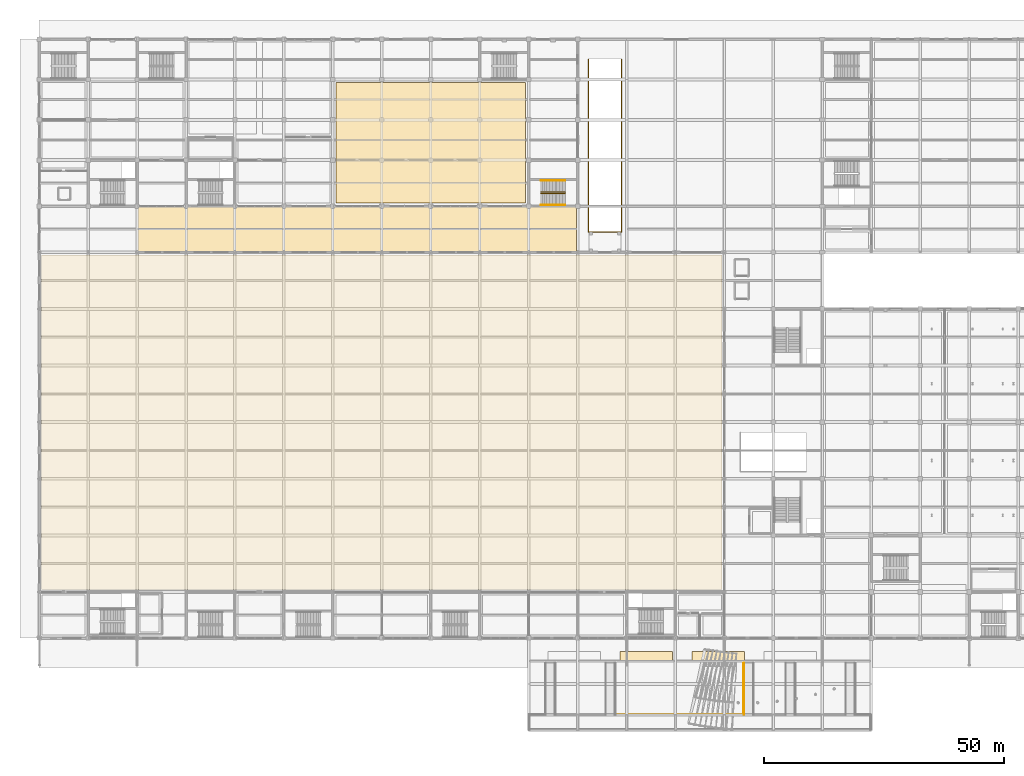
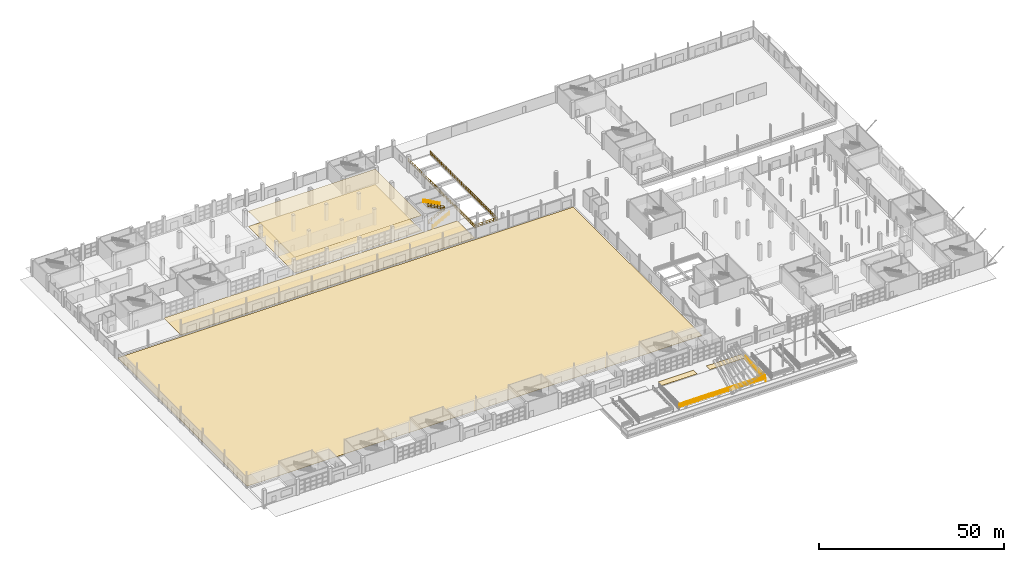
# One storey, part 115 of 124: 6 coverings, 6 railings.
"""IFC4 building model written with IfcOpenShell, lengths in metres."""

from ifc_helpers import new_model, si_unit, direction, frame, origin, origin_2d, place, context, subcontext, project, spatial, polyline, circle, outline, extrude, material, layer, layer_set, type_object, element, save


model = new_model("IFC4")

# Units and contexts
model_context = context("Model", 3, precision=1e-05, world=origin(), true_north=direction((0.0, 1.0)))
body_context = subcontext(model_context, "Body", "Model", "MODEL_VIEW")
ifc_project = project(units=[si_unit("LENGTHUNIT", "METRE"), si_unit("AREAUNIT", "SQUARE_METRE"), si_unit("VOLUMEUNIT", "CUBIC_METRE"), si_unit("PLANEANGLEUNIT", "RADIAN"), si_unit("MASSUNIT", "GRAM", prefix="KILO")], contexts=[model_context])

# Site, building, storey
site_placement = place(None, origin())
site = spatial("IfcSite", under=ifc_project, at=site_placement, CompositionType="ELEMENT")
building_placement = place(site_placement, origin())
building = spatial("IfcBuilding", under=site, at=building_placement, Name="Brelvane Convention Centre", CompositionType="ELEMENT")
storey_placement = place(building_placement, origin())
storey = spatial("IfcBuildingStorey", under=building, at=storey_placement, Name="L00", CompositionType="ELEMENT", Elevation=0.0)

# Coverings
ifc_material_1 = material(Name="Moisture-Resistant Acoustic Gypsum Ceiling Tile Grade A")
ifc_layer_1 = layer(ifc_material_1, 0.01806640625)
ifc_layer_set_1 = layer_set([ifc_layer_1], Name="Moisture-Resistant Acoustic Gypsum Ceiling Tile Grade A")
covering_type_1 = type_object("IfcCoveringType", Name="Interior Finish CL-GYP-18", PredefinedType="CEILING", material=ifc_layer_set_1)
covering_1_placement = place(storey_placement, frame((0.0, 0.0, 5.06201171875)))
element("IfcCovering", 1, at=covering_1_placement, inside=storey, type_object=covering_type_1, Name="Banquet Production Kitchen Acoustic Ceiling (CL-GYP-18)", PredefinedType="CEILING", context=body_context, shape_type="SweptSolid", body=[
    extrude(outline(polyline([(61.830078125, 109.830078125), (101.3701171875, 109.830078125), (101.3701171875, 134.969970703125), (61.830078125, 134.969970703125), (61.830078125, 109.830078125)])), origin(), (0.0, 0.0, 1.0), 0.01806640625),
])
ifc_material_2 = material(Name="Solution-Dyed Heavy Contract Wool Carpet Class 1")
ifc_layer_2 = layer(ifc_material_2, 0.02197265625)
ifc_layer_set_2 = layer_set([ifc_layer_2], Name="Solution-Dyed Heavy Contract Wool Carpet Class 1")
covering_type_2 = type_object("IfcCoveringType", Name="Interior Finish FL-CPT-22", PredefinedType="FLOORING", material=ifc_layer_set_2)
covering_2_placement = place(storey_placement, origin())
element("IfcCovering", 2, at=covering_2_placement, inside=storey, type_object=covering_type_2, Name="Banquet Production Kitchen Floor Finish (FL-CPT-22)", PredefinedType="FLOORING", context=body_context, shape_type="SweptSolid", body=[
    extrude(outline(polyline([(61.830078125, 109.830078125), (101.3701171875, 109.830078125), (101.3701171875, 134.969970703125), (61.830078125, 134.969970703125), (61.830078125, 109.830078125)])), origin(), (0.0, 0.0, 1.0), 0.02197265625),
])
ifc_material_3 = material(Name="Polished Basalt-Aggregate Terrazzo Screed Concrete M30", Category="masonry")
ifc_layer_3 = layer(ifc_material_3, 0.050048828125)
ifc_layer_set_3 = layer_set([ifc_layer_3], Name="Polished Basalt-Aggregate Terrazzo Screed Concrete M30")
covering_type_3 = type_object("IfcCoveringType", Name="Interior Finish FL-TER-50", PredefinedType="FLOORING", material=ifc_layer_set_3)
covering_3_placement = place(storey_placement, origin())
element("IfcCovering", 3, at=covering_3_placement, inside=storey, type_object=covering_type_3, Name="Exhibition Hall Floor Finish (FL-TER-50)", PredefinedType="FLOORING", context=body_context, shape_type="SweptSolid", body=[
    extrude(outline(polyline([(0.530029296875, 29.330078125), (142.27001953125, 29.330078125), (142.27001953125, 99.070068359375), (0.530029296875, 99.070068359375), (0.530029296875, 29.330078125)])), origin(), (0.0, 0.0, 1.0), 0.050048828125),
])
ifc_material_4 = material(Name="Concrete M40", Category="concrete")
ifc_layer_4 = layer(ifc_material_4, 0.080078125)
ifc_layer_set_4 = layer_set([ifc_layer_4], Name="Concrete M40")
covering_type_4 = type_object("IfcCoveringType", Name="Outdoor Plaza Paving PV-80", PredefinedType="USERDEFINED", material=ifc_layer_set_4)
covering_4_placement = place(storey_placement, origin())
element("IfcCovering", 4, at=covering_4_placement, inside=storey, type_object=covering_type_4, Name="Outdoor Arrival Plaza Paving MONSOON-COURT", ObjectType="PAVING", PredefinedType="USERDEFINED", context=body_context, shape_type="SweptSolid", body=[
    extrude(outline(polyline([(20.60009765625, 99.800048828125), (112.0, 99.800048828125), (112.0, 109.0), (20.60009765625, 109.0), (20.60009765625, 99.800048828125)])), origin(), (0.0, 0.0, 1.0), 0.080078125),
])
covering_5_placement = place(storey_placement, origin())
element("IfcCovering", 5, at=covering_5_placement, inside=storey, type_object=covering_type_4, Name="Boulevard Promenade Stone Walk 2", ObjectType="PAVING", PredefinedType="USERDEFINED", context=body_context, shape_type="SweptSolid", body=[
    extrude(outline(polyline([(121.0, 14.39990234375), (132.0, 14.39990234375), (132.0, 16.39990234375), (121.0, 16.39990234375), (121.0, 14.39990234375)])), origin(), (0.0, 0.0, 1.0), 0.080078125),
])
covering_6_placement = place(storey_placement, origin())
element("IfcCovering", 6, at=covering_6_placement, inside=storey, type_object=covering_type_4, Name="Boulevard Promenade Stone Walk 3", ObjectType="PAVING", PredefinedType="USERDEFINED", context=body_context, shape_type="SweptSolid", body=[
    extrude(outline(polyline([(136.0, 14.39990234375), (147.0, 14.39990234375), (147.0, 16.39990234375), (136.0, 16.39990234375), (136.0, 14.39990234375)])), origin(), (0.0, 0.0, 1.0), 0.080078125),
])

# Railings
ifc_material_5 = material(Name="Steel E350 (350 MPa)", Category="steel")
railing_type_1 = type_object("IfcRailingType", Name="Railing GR-EXT-1", PredefinedType="GUARDRAIL", material=ifc_material_5)
railing_1_placement = place(storey_placement, frame((114.449951171875, 139.800048828125, 0.0)))
element("IfcRailing", 7, at=railing_1_placement, inside=storey, type_object=railing_type_1, Name="Railing GR-EXT-1 L00-syd_ramp_guard", PredefinedType="GUARDRAIL", context=body_context, shape_type="SweptSolid", body=[
    extrude(circle(Radius=0.02392578125, at=origin_2d()), frame((0.0, 0.0, 1.1259765625), z_axis=(0.0, -1.0, 0.0), x_axis=(1.0, 0.0, 0.0)), (0.0, 0.0, 1.0), 36.0),
    extrude(circle(Radius=0.02392578125, at=origin_2d()), frame((0.0, 0.0, 0.597900390625), z_axis=(0.0, -1.0, 0.0), x_axis=(1.0, 0.0, 0.0)), (0.0, 0.0, 1.0), 36.0),
    extrude(circle(Radius=0.02392578125, at=origin_2d()), frame((0.0, 0.0, 0.139892578125), z_axis=(0.0, -1.0, 0.0), x_axis=(1.0, 0.0, 0.0)), (0.0, 0.0, 1.0), 36.0),
    extrude(circle(Radius=0.02392578125, at=origin_2d()), frame((0.0, -36.0, 1.1259765625), z_axis=(1.0, 0.0, 0.0), x_axis=(0.0, 1.0, 0.0)), (0.0, 0.0, 1.0), 6.900146484375),
    extrude(circle(Radius=0.02392578125, at=origin_2d()), frame((0.0, -36.0, 0.597900390625), z_axis=(1.0, 0.0, 0.0), x_axis=(0.0, 1.0, 0.0)), (0.0, 0.0, 1.0), 6.900146484375),
    extrude(circle(Radius=0.02392578125, at=origin_2d()), frame((0.0, -36.0, 0.139892578125), z_axis=(1.0, 0.0, 0.0), x_axis=(0.0, 1.0, 0.0)), (0.0, 0.0, 1.0), 6.900146484375),
    extrude(circle(Radius=0.02392578125, at=origin_2d()), frame((6.900146484375, -36.0, 1.1259765625), z_axis=(0.0, 1.0, 0.0), x_axis=(-1.0, 0.0, 0.0)), (0.0, 0.0, 1.0), 36.0),
    extrude(circle(Radius=0.02392578125, at=origin_2d()), frame((6.900146484375, -36.0, 0.597900390625), z_axis=(0.0, 1.0, 0.0), x_axis=(-1.0, 0.0, 0.0)), (0.0, 0.0, 1.0), 36.0),
    extrude(circle(Radius=0.02392578125, at=origin_2d()), frame((6.900146484375, -36.0, 0.139892578125), z_axis=(0.0, 1.0, 0.0), x_axis=(-1.0, 0.0, 0.0)), (0.0, 0.0, 1.0), 36.0),
    extrude(circle(Radius=0.02099609375, at=origin_2d()), origin(), (0.0, 0.0, 1.0), 1.101806640625),
    extrude(circle(Radius=0.02099609375, at=origin_2d()), frame((0.0, -1.199951171875, 0.0)), (0.0, 0.0, 1.0), 1.101806640625),
    extrude(circle(Radius=0.02099609375, at=origin_2d()), frame((0.0, -2.39990234375, 0.0)), (0.0, 0.0, 1.0), 1.101806640625),
    extrude(circle(Radius=0.02099609375, at=origin_2d()), frame((0.0, -3.60009765625, 0.0)), (0.0, 0.0, 1.0), 1.101806640625),
    extrude(circle(Radius=0.02099609375, at=origin_2d()), frame((0.0, -4.800048828125, 0.0)), (0.0, 0.0, 1.0), 1.101806640625),
    extrude(circle(Radius=0.02099609375, at=origin_2d()), frame((0.0, -6.0, 0.0)), (0.0, 0.0, 1.0), 1.101806640625),
    extrude(circle(Radius=0.02099609375, at=origin_2d()), frame((0.0, -7.199951171875, 0.0)), (0.0, 0.0, 1.0), 1.101806640625),
    extrude(circle(Radius=0.02099609375, at=origin_2d()), frame((0.0, -8.39990234375, 0.0)), (0.0, 0.0, 1.0), 1.101806640625),
    extrude(circle(Radius=0.02099609375, at=origin_2d()), frame((0.0, -9.60009765625, 0.0)), (0.0, 0.0, 1.0), 1.101806640625),
    extrude(circle(Radius=0.02099609375, at=origin_2d()), frame((0.0, -10.800048828125, 0.0)), (0.0, 0.0, 1.0), 1.101806640625),
    extrude(circle(Radius=0.02099609375, at=origin_2d()), frame((0.0, -12.0, 0.0)), (0.0, 0.0, 1.0), 1.101806640625),
    extrude(circle(Radius=0.02099609375, at=origin_2d()), frame((0.0, -13.199951171875, 0.0)), (0.0, 0.0, 1.0), 1.101806640625),
    extrude(circle(Radius=0.02099609375, at=origin_2d()), frame((0.0, -14.39990234375, 0.0)), (0.0, 0.0, 1.0), 1.101806640625),
    extrude(circle(Radius=0.02099609375, at=origin_2d()), frame((0.0, -15.60009765625, 0.0)), (0.0, 0.0, 1.0), 1.101806640625),
    extrude(circle(Radius=0.02099609375, at=origin_2d()), frame((0.0, -16.800048828125, 0.0)), (0.0, 0.0, 1.0), 1.101806640625),
    extrude(circle(Radius=0.02099609375, at=origin_2d()), frame((0.0, -18.0, 0.0)), (0.0, 0.0, 1.0), 1.101806640625),
    extrude(circle(Radius=0.02099609375, at=origin_2d()), frame((0.0, -19.199951171875, 0.0)), (0.0, 0.0, 1.0), 1.101806640625),
    extrude(circle(Radius=0.02099609375, at=origin_2d()), frame((0.0, -20.39990234375, 0.0)), (0.0, 0.0, 1.0), 1.101806640625),
    extrude(circle(Radius=0.02099609375, at=origin_2d()), frame((0.0, -21.60009765625, 0.0)), (0.0, 0.0, 1.0), 1.101806640625),
    extrude(circle(Radius=0.02099609375, at=origin_2d()), frame((0.0, -22.800048828125, 0.0)), (0.0, 0.0, 1.0), 1.101806640625),
    extrude(circle(Radius=0.02099609375, at=origin_2d()), frame((0.0, -24.0, 0.0)), (0.0, 0.0, 1.0), 1.101806640625),
    extrude(circle(Radius=0.02099609375, at=origin_2d()), frame((0.0, -25.199951171875, 0.0)), (0.0, 0.0, 1.0), 1.101806640625),
    extrude(circle(Radius=0.02099609375, at=origin_2d()), frame((0.0, -26.39990234375, 0.0)), (0.0, 0.0, 1.0), 1.101806640625),
    extrude(circle(Radius=0.02099609375, at=origin_2d()), frame((0.0, -27.60009765625, 0.0)), (0.0, 0.0, 1.0), 1.101806640625),
    extrude(circle(Radius=0.02099609375, at=origin_2d()), frame((0.0, -28.800048828125, 0.0)), (0.0, 0.0, 1.0), 1.101806640625),
    extrude(circle(Radius=0.02099609375, at=origin_2d()), frame((0.0, -30.0, 0.0)), (0.0, 0.0, 1.0), 1.101806640625),
    extrude(circle(Radius=0.02099609375, at=origin_2d()), frame((0.0, -31.199951171875, 0.0)), (0.0, 0.0, 1.0), 1.101806640625),
    extrude(circle(Radius=0.02099609375, at=origin_2d()), frame((0.0, -32.39990234375, 0.0)), (0.0, 0.0, 1.0), 1.101806640625),
    extrude(circle(Radius=0.02099609375, at=origin_2d()), frame((0.0, -33.60009765625, 0.0)), (0.0, 0.0, 1.0), 1.101806640625),
    extrude(circle(Radius=0.02099609375, at=origin_2d()), frame((0.0, -34.800048828125, 0.0)), (0.0, 0.0, 1.0), 1.101806640625),
    extrude(circle(Radius=0.02099609375, at=origin_2d()), frame((0.0, -36.0, 0.0)), (0.0, 0.0, 1.0), 1.101806640625),
    extrude(circle(Radius=0.02099609375, at=origin_2d()), frame((1.14990234375, -36.0, 0.0)), (0.0, 0.0, 1.0), 1.101806640625),
    extrude(circle(Radius=0.02099609375, at=origin_2d()), frame((2.300048828125, -36.0, 0.0)), (0.0, 0.0, 1.0), 1.101806640625),
    extrude(circle(Radius=0.02099609375, at=origin_2d()), frame((3.4501953125, -36.0, 0.0)), (0.0, 0.0, 1.0), 1.101806640625),
    extrude(circle(Radius=0.02099609375, at=origin_2d()), frame((4.60009765625, -36.0, 0.0)), (0.0, 0.0, 1.0), 1.101806640625),
    extrude(circle(Radius=0.02099609375, at=origin_2d()), frame((5.75, -36.0, 0.0)), (0.0, 0.0, 1.0), 1.101806640625),
    extrude(circle(Radius=0.02099609375, at=origin_2d()), frame((6.900146484375, -36.0, 0.0)), (0.0, 0.0, 1.0), 1.101806640625),
    extrude(circle(Radius=0.02099609375, at=origin_2d()), frame((6.900146484375, -34.800048828125, 0.0)), (0.0, 0.0, 1.0), 1.101806640625),
    extrude(circle(Radius=0.02099609375, at=origin_2d()), frame((6.900146484375, -33.60009765625, 0.0)), (0.0, 0.0, 1.0), 1.101806640625),
    extrude(circle(Radius=0.02099609375, at=origin_2d()), frame((6.900146484375, -32.39990234375, 0.0)), (0.0, 0.0, 1.0), 1.101806640625),
    extrude(circle(Radius=0.02099609375, at=origin_2d()), frame((6.900146484375, -31.199951171875, 0.0)), (0.0, 0.0, 1.0), 1.101806640625),
    extrude(circle(Radius=0.02099609375, at=origin_2d()), frame((6.900146484375, -30.0, 0.0)), (0.0, 0.0, 1.0), 1.101806640625),
    extrude(circle(Radius=0.02099609375, at=origin_2d()), frame((6.900146484375, -28.800048828125, 0.0)), (0.0, 0.0, 1.0), 1.101806640625),
    extrude(circle(Radius=0.02099609375, at=origin_2d()), frame((6.900146484375, -27.60009765625, 0.0)), (0.0, 0.0, 1.0), 1.101806640625),
    extrude(circle(Radius=0.02099609375, at=origin_2d()), frame((6.900146484375, -26.39990234375, 0.0)), (0.0, 0.0, 1.0), 1.101806640625),
    extrude(circle(Radius=0.02099609375, at=origin_2d()), frame((6.900146484375, -25.199951171875, 0.0)), (0.0, 0.0, 1.0), 1.101806640625),
    extrude(circle(Radius=0.02099609375, at=origin_2d()), frame((6.900146484375, -24.0, 0.0)), (0.0, 0.0, 1.0), 1.101806640625),
    extrude(circle(Radius=0.02099609375, at=origin_2d()), frame((6.900146484375, -22.800048828125, 0.0)), (0.0, 0.0, 1.0), 1.101806640625),
    extrude(circle(Radius=0.02099609375, at=origin_2d()), frame((6.900146484375, -21.60009765625, 0.0)), (0.0, 0.0, 1.0), 1.101806640625),
    extrude(circle(Radius=0.02099609375, at=origin_2d()), frame((6.900146484375, -20.39990234375, 0.0)), (0.0, 0.0, 1.0), 1.101806640625),
    extrude(circle(Radius=0.02099609375, at=origin_2d()), frame((6.900146484375, -19.199951171875, 0.0)), (0.0, 0.0, 1.0), 1.101806640625),
    extrude(circle(Radius=0.02099609375, at=origin_2d()), frame((6.900146484375, -18.0, 0.0)), (0.0, 0.0, 1.0), 1.101806640625),
    extrude(circle(Radius=0.02099609375, at=origin_2d()), frame((6.900146484375, -16.800048828125, 0.0)), (0.0, 0.0, 1.0), 1.101806640625),
    extrude(circle(Radius=0.02099609375, at=origin_2d()), frame((6.900146484375, -15.60009765625, 0.0)), (0.0, 0.0, 1.0), 1.101806640625),
    extrude(circle(Radius=0.02099609375, at=origin_2d()), frame((6.900146484375, -14.39990234375, 0.0)), (0.0, 0.0, 1.0), 1.101806640625),
    extrude(circle(Radius=0.02099609375, at=origin_2d()), frame((6.900146484375, -13.199951171875, 0.0)), (0.0, 0.0, 1.0), 1.101806640625),
    extrude(circle(Radius=0.02099609375, at=origin_2d()), frame((6.900146484375, -12.0, 0.0)), (0.0, 0.0, 1.0), 1.101806640625),
    extrude(circle(Radius=0.02099609375, at=origin_2d()), frame((6.900146484375, -10.800048828125, 0.0)), (0.0, 0.0, 1.0), 1.101806640625),
    extrude(circle(Radius=0.02099609375, at=origin_2d()), frame((6.900146484375, -9.60009765625, 0.0)), (0.0, 0.0, 1.0), 1.101806640625),
    extrude(circle(Radius=0.02099609375, at=origin_2d()), frame((6.900146484375, -8.39990234375, 0.0)), (0.0, 0.0, 1.0), 1.101806640625),
    extrude(circle(Radius=0.02099609375, at=origin_2d()), frame((6.900146484375, -7.199951171875, 0.0)), (0.0, 0.0, 1.0), 1.101806640625),
    extrude(circle(Radius=0.02099609375, at=origin_2d()), frame((6.900146484375, -6.0, 0.0)), (0.0, 0.0, 1.0), 1.101806640625),
    extrude(circle(Radius=0.02099609375, at=origin_2d()), frame((6.900146484375, -4.800048828125, 0.0)), (0.0, 0.0, 1.0), 1.101806640625),
    extrude(circle(Radius=0.02099609375, at=origin_2d()), frame((6.900146484375, -3.60009765625, 0.0)), (0.0, 0.0, 1.0), 1.101806640625),
    extrude(circle(Radius=0.02099609375, at=origin_2d()), frame((6.900146484375, -2.39990234375, 0.0)), (0.0, 0.0, 1.0), 1.101806640625),
    extrude(circle(Radius=0.02099609375, at=origin_2d()), frame((6.900146484375, -1.199951171875, 0.0)), (0.0, 0.0, 1.0), 1.101806640625),
    extrude(circle(Radius=0.02099609375, at=origin_2d()), frame((6.900146484375, 0.0, 0.0)), (0.0, 0.0, 1.0), 1.101806640625),
])
railing_2_placement = place(storey_placement, frame((120.10009765625, 3.280029296875, 0.0)))
element("IfcRailing", 8, at=railing_2_placement, inside=storey, type_object=railing_type_1, Name="Railing GR-EXT-1 L00-plaza_step_seg_3", PredefinedType="GUARDRAIL", context=body_context, shape_type="SweptSolid", body=[
    extrude(circle(Radius=0.02392578125, at=origin_2d()), frame((0.0, 0.0, 1.1259765625), z_axis=(1.0, 0.0, 0.0), x_axis=(0.0, 1.0, 0.0)), (0.0, 0.0, 1.0), 26.639892578125),
    extrude(circle(Radius=0.02392578125, at=origin_2d()), frame((0.0, 0.0, 0.597900390625), z_axis=(1.0, 0.0, 0.0), x_axis=(0.0, 1.0, 0.0)), (0.0, 0.0, 1.0), 26.639892578125),
    extrude(circle(Radius=0.02392578125, at=origin_2d()), frame((0.0, 0.0, 0.139892578125), z_axis=(1.0, 0.0, 0.0), x_axis=(0.0, 1.0, 0.0)), (0.0, 0.0, 1.0), 26.639892578125),
    extrude(circle(Radius=0.02392578125, at=origin_2d()), frame((26.639892578125, 0.0, 1.1259765625), z_axis=(0.0, 1.0, 0.0), x_axis=(-1.0, 0.0, 0.0)), (0.0, 0.0, 1.0), 10.659912109375),
    extrude(circle(Radius=0.02392578125, at=origin_2d()), frame((26.639892578125, 0.0, 0.597900390625), z_axis=(0.0, 1.0, 0.0), x_axis=(-1.0, 0.0, 0.0)), (0.0, 0.0, 1.0), 10.659912109375),
    extrude(circle(Radius=0.02392578125, at=origin_2d()), frame((26.639892578125, 0.0, 0.139892578125), z_axis=(0.0, 1.0, 0.0), x_axis=(-1.0, 0.0, 0.0)), (0.0, 0.0, 1.0), 10.659912109375),
    extrude(circle(Radius=0.02099609375, at=origin_2d()), origin(), (0.0, 0.0, 1.0), 1.101806640625),
    extrude(circle(Radius=0.02099609375, at=origin_2d()), frame((1.158203125, 0.0, 0.0)), (0.0, 0.0, 1.0), 1.101806640625),
    extrude(circle(Radius=0.02099609375, at=origin_2d()), frame((2.31640625, 0.0, 0.0)), (0.0, 0.0, 1.0), 1.101806640625),
    extrude(circle(Radius=0.02099609375, at=origin_2d()), frame((3.474853515625, 0.0, 0.0)), (0.0, 0.0, 1.0), 1.101806640625),
    extrude(circle(Radius=0.02099609375, at=origin_2d()), frame((4.633056640625, 0.0, 0.0)), (0.0, 0.0, 1.0), 1.101806640625),
    extrude(circle(Radius=0.02099609375, at=origin_2d()), frame((5.791259765625, 0.0, 0.0)), (0.0, 0.0, 1.0), 1.101806640625),
    extrude(circle(Radius=0.02099609375, at=origin_2d()), frame((6.949462890625, 0.0, 0.0)), (0.0, 0.0, 1.0), 1.101806640625),
    extrude(circle(Radius=0.02099609375, at=origin_2d()), frame((8.10791015625, 0.0, 0.0)), (0.0, 0.0, 1.0), 1.101806640625),
    extrude(circle(Radius=0.02099609375, at=origin_2d()), frame((9.26611328125, 0.0, 0.0)), (0.0, 0.0, 1.0), 1.101806640625),
    extrude(circle(Radius=0.02099609375, at=origin_2d()), frame((10.42431640625, 0.0, 0.0)), (0.0, 0.0, 1.0), 1.101806640625),
    extrude(circle(Radius=0.02099609375, at=origin_2d()), frame((11.58251953125, 0.0, 0.0)), (0.0, 0.0, 1.0), 1.101806640625),
    extrude(circle(Radius=0.02099609375, at=origin_2d()), frame((12.74072265625, 0.0, 0.0)), (0.0, 0.0, 1.0), 1.101806640625),
    extrude(circle(Radius=0.02099609375, at=origin_2d()), frame((13.899169921875, 0.0, 0.0)), (0.0, 0.0, 1.0), 1.101806640625),
    extrude(circle(Radius=0.02099609375, at=origin_2d()), frame((15.057373046875, 0.0, 0.0)), (0.0, 0.0, 1.0), 1.101806640625),
    extrude(circle(Radius=0.02099609375, at=origin_2d()), frame((16.215576171875, 0.0, 0.0)), (0.0, 0.0, 1.0), 1.101806640625),
    extrude(circle(Radius=0.02099609375, at=origin_2d()), frame((17.373779296875, 0.0, 0.0)), (0.0, 0.0, 1.0), 1.101806640625),
    extrude(circle(Radius=0.02099609375, at=origin_2d()), frame((18.531982421875, 0.0, 0.0)), (0.0, 0.0, 1.0), 1.101806640625),
    extrude(circle(Radius=0.02099609375, at=origin_2d()), frame((19.6904296875, 0.0, 0.0)), (0.0, 0.0, 1.0), 1.101806640625),
    extrude(circle(Radius=0.02099609375, at=origin_2d()), frame((20.8486328125, 0.0, 0.0)), (0.0, 0.0, 1.0), 1.101806640625),
    extrude(circle(Radius=0.02099609375, at=origin_2d()), frame((22.0068359375, 0.0, 0.0)), (0.0, 0.0, 1.0), 1.101806640625),
    extrude(circle(Radius=0.02099609375, at=origin_2d()), frame((23.1650390625, 0.0, 0.0)), (0.0, 0.0, 1.0), 1.101806640625),
    extrude(circle(Radius=0.02099609375, at=origin_2d()), frame((24.323486328125, 0.0, 0.0)), (0.0, 0.0, 1.0), 1.101806640625),
    extrude(circle(Radius=0.02099609375, at=origin_2d()), frame((25.481689453125, 0.0, 0.0)), (0.0, 0.0, 1.0), 1.101806640625),
    extrude(circle(Radius=0.02099609375, at=origin_2d()), frame((26.639892578125, 0.0, 0.0)), (0.0, 0.0, 1.0), 1.101806640625),
    extrude(circle(Radius=0.02099609375, at=origin_2d()), frame((26.639892578125, 1.184326171875, 0.0)), (0.0, 0.0, 1.0), 1.101806640625),
    extrude(circle(Radius=0.02099609375, at=origin_2d()), frame((26.639892578125, 2.368896484375, 0.0)), (0.0, 0.0, 1.0), 1.101806640625),
    extrude(circle(Radius=0.02099609375, at=origin_2d()), frame((26.639892578125, 3.55322265625, 0.0)), (0.0, 0.0, 1.0), 1.101806640625),
    extrude(circle(Radius=0.02099609375, at=origin_2d()), frame((26.639892578125, 4.73779296875, 0.0)), (0.0, 0.0, 1.0), 1.101806640625),
    extrude(circle(Radius=0.02099609375, at=origin_2d()), frame((26.639892578125, 5.922119140625, 0.0)), (0.0, 0.0, 1.0), 1.101806640625),
    extrude(circle(Radius=0.02099609375, at=origin_2d()), frame((26.639892578125, 7.106689453125, 0.0)), (0.0, 0.0, 1.0), 1.101806640625),
    extrude(circle(Radius=0.02099609375, at=origin_2d()), frame((26.639892578125, 8.291015625, 0.0)), (0.0, 0.0, 1.0), 1.101806640625),
    extrude(circle(Radius=0.02099609375, at=origin_2d()), frame((26.639892578125, 9.4755859375, 0.0)), (0.0, 0.0, 1.0), 1.101806640625),
    extrude(circle(Radius=0.02099609375, at=origin_2d()), frame((26.639892578125, 10.659912109375, 0.0)), (0.0, 0.0, 1.0), 1.101806640625),
])
railing_3_placement = place(storey_placement, frame((146.860107421875, 3.199951171875, -0.89990234375)))
element("IfcRailing", 9, at=railing_3_placement, inside=storey, type_object=railing_type_1, Name="Ramp AR-03 Sloped Guard (W)", PredefinedType="GUARDRAIL", context=body_context, shape_type="SweptSolid", body=[
    extrude(circle(Radius=0.02392578125, at=origin_2d()), frame((0.0, 0.0, 1.1259765625), z_axis=(0.0, 0.99654653501, 0.083036158149), x_axis=(-1.0, 0.0, 0.0)), (0.0, 0.0, 1.0), 10.83740234375),
    extrude(circle(Radius=0.02392578125, at=origin_2d()), frame((0.0, 0.0, 0.597900390625), z_axis=(0.0, 0.99654653501, 0.083036158149), x_axis=(-1.0, 0.0, 0.0)), (0.0, 0.0, 1.0), 10.83740234375),
    extrude(circle(Radius=0.02392578125, at=origin_2d()), frame((0.0, 0.0, 0.139892578125), z_axis=(0.0, 0.99654653501, 0.083036158149), x_axis=(-1.0, 0.0, 0.0)), (0.0, 0.0, 1.0), 10.83740234375),
    extrude(circle(Radius=0.02099609375, at=origin_2d()), origin(), (0.0, 0.0, 1.0), 1.101806640625),
    extrude(circle(Radius=0.02099609375, at=origin_2d()), frame((0.0, 1.080078125, 0.090087890625)), (0.0, 0.0, 1.0), 1.101806640625),
    extrude(circle(Radius=0.02099609375, at=origin_2d()), frame((0.0, 2.159912109375, 0.179931640625)), (0.0, 0.0, 1.0), 1.101806640625),
    extrude(circle(Radius=0.02099609375, at=origin_2d()), frame((0.0, 3.239990234375, 0.27001953125)), (0.0, 0.0, 1.0), 1.101806640625),
    extrude(circle(Radius=0.02099609375, at=origin_2d()), frame((0.0, 4.320068359375, 0.35986328125)), (0.0, 0.0, 1.0), 1.101806640625),
    extrude(circle(Radius=0.02099609375, at=origin_2d()), frame((0.0, 5.39990234375, 0.449951171875)), (0.0, 0.0, 1.0), 1.101806640625),
    extrude(circle(Radius=0.02099609375, at=origin_2d()), frame((0.0, 6.47998046875, 0.5400390625)), (0.0, 0.0, 1.0), 1.101806640625),
    extrude(circle(Radius=0.02099609375, at=origin_2d()), frame((0.0, 7.56005859375, 0.6298828125)), (0.0, 0.0, 1.0), 1.101806640625),
    extrude(circle(Radius=0.02099609375, at=origin_2d()), frame((0.0, 8.64013671875, 0.719970703125)), (0.0, 0.0, 1.0), 1.101806640625),
    extrude(circle(Radius=0.02099609375, at=origin_2d()), frame((0.0, 9.719970703125, 0.809814453125)), (0.0, 0.0, 1.0), 1.101806640625),
    extrude(circle(Radius=0.02099609375, at=origin_2d()), frame((0.0, 10.800048828125, 0.89990234375)), (0.0, 0.0, 1.0), 1.101806640625),
])
ifc_material_6 = material(Name="Steel E350 (350 MPa)", Category="steel")
railing_type_2 = type_object("IfcRailingType", Name="Stair Railing GR-ST-1", PredefinedType="GUARDRAIL", material=ifc_material_6)
railing_4_placement = place(storey_placement, frame((104.550048828125, 111.840087890625, -0.02001953125)))
element("IfcRailing", 10, at=railing_4_placement, inside=storey, type_object=railing_type_2, Name="Stair ST-20 L00 Inner Well Guard", PredefinedType="GUARDRAIL", context=body_context, shape_type="SweptSolid", body=[
    extrude(circle(Radius=0.02392578125, at=origin_2d()), frame((0.0, 0.0, 1.1259765625), z_axis=(0.88234943334, 0.0, 0.470594812429), x_axis=(0.0, 1.0, 0.0)), (0.0, 0.0, 1.0), 5.77978515625),
    extrude(circle(Radius=0.02392578125, at=origin_2d()), frame((0.0, 0.0, 0.597900390625), z_axis=(0.88234943334, 0.0, 0.470594812429), x_axis=(0.0, 1.0, 0.0)), (0.0, 0.0, 1.0), 5.77978515625),
    extrude(circle(Radius=0.02392578125, at=origin_2d()), frame((0.0, 0.0, 0.139892578125), z_axis=(0.88234943334, 0.0, 0.470594812429), x_axis=(0.0, 1.0, 0.0)), (0.0, 0.0, 1.0), 5.77978515625),
    extrude(circle(Radius=0.02392578125, at=origin_2d()), frame((5.099853515625, 0.0, 3.845947265625), z_axis=(0.0, 1.0, 0.0), x_axis=(-1.0, 0.0, 0.0)), (0.0, 0.0, 1.0), 0.31982421875),
    extrude(circle(Radius=0.02392578125, at=origin_2d()), frame((5.099853515625, 0.0, 3.31787109375), z_axis=(0.0, 1.0, 0.0), x_axis=(-1.0, 0.0, 0.0)), (0.0, 0.0, 1.0), 0.31982421875),
    extrude(circle(Radius=0.02392578125, at=origin_2d()), frame((5.099853515625, 0.0, 2.85986328125), z_axis=(0.0, 1.0, 0.0), x_axis=(-1.0, 0.0, 0.0)), (0.0, 0.0, 1.0), 0.31982421875),
    extrude(circle(Radius=0.02392578125, at=origin_2d()), frame((5.099853515625, 0.31982421875, 3.845947265625), z_axis=(-0.885218631674, 0.0, 0.465175207999), x_axis=(0.0, -1.0, 0.0)), (0.0, 0.0, 1.0), 5.76123046875),
    extrude(circle(Radius=0.02392578125, at=origin_2d()), frame((5.099853515625, 0.31982421875, 3.31787109375), z_axis=(-0.885218631674, 0.0, 0.465175207999), x_axis=(0.0, -1.0, 0.0)), (0.0, 0.0, 1.0), 5.76123046875),
    extrude(circle(Radius=0.02392578125, at=origin_2d()), frame((5.099853515625, 0.31982421875, 2.85986328125), z_axis=(-0.885218631674, 0.0, 0.465175207999), x_axis=(0.0, -1.0, 0.0)), (0.0, 0.0, 1.0), 5.76123046875),
    extrude(circle(Radius=0.02099609375, at=origin_2d()), origin(), (0.0, 0.0, 1.0), 1.101806640625),
    extrude(circle(Radius=0.02099609375, at=origin_2d()), frame((1.02001953125, 0.0, 0.5439453125)), (0.0, 0.0, 1.0), 1.101806640625),
    extrude(circle(Radius=0.02099609375, at=origin_2d()), frame((2.0400390625, 0.0, 1.087890625)), (0.0, 0.0, 1.0), 1.101806640625),
    extrude(circle(Radius=0.02099609375, at=origin_2d()), frame((3.059814453125, 0.0, 1.632080078125)), (0.0, 0.0, 1.0), 1.101806640625),
    extrude(circle(Radius=0.02099609375, at=origin_2d()), frame((4.079833984375, 0.0, 2.176025390625)), (0.0, 0.0, 1.0), 1.101806640625),
    extrude(circle(Radius=0.02099609375, at=origin_2d()), frame((5.099853515625, 0.0, 2.719970703125)), (0.0, 0.0, 1.0), 1.101806640625),
    extrude(circle(Radius=0.02099609375, at=origin_2d()), frame((5.099853515625, 0.31982421875, 2.719970703125)), (0.0, 0.0, 1.0), 1.101806640625),
    extrude(circle(Radius=0.02099609375, at=origin_2d()), frame((4.079833984375, 0.31982421875, 3.255859375)), (0.0, 0.0, 1.0), 1.101806640625),
    extrude(circle(Radius=0.02099609375, at=origin_2d()), frame((3.059814453125, 0.31982421875, 3.7919921875)), (0.0, 0.0, 1.0), 1.101806640625),
    extrude(circle(Radius=0.02099609375, at=origin_2d()), frame((2.0400390625, 0.31982421875, 4.327880859375)), (0.0, 0.0, 1.0), 1.101806640625),
    extrude(circle(Radius=0.02099609375, at=origin_2d()), frame((1.02001953125, 0.31982421875, 4.864013671875)), (0.0, 0.0, 1.0), 1.101806640625),
    extrude(circle(Radius=0.02099609375, at=origin_2d()), frame((0.0, 0.31982421875, 5.39990234375)), (0.0, 0.0, 1.0), 1.101806640625),
])
ifc_material_7 = material(Name="Steel E350 (350 MPa)", Category="steel")
railing_type_3 = type_object("IfcRailingType", Name="Stair Railing HR-ST-1", PredefinedType="HANDRAIL", material=ifc_material_7)
railing_5_placement = place(storey_placement, frame((104.550048828125, 109.429931640625, -0.02001953125)))
element("IfcRailing", 11, at=railing_5_placement, inside=storey, type_object=railing_type_3, Name="Stair ST-20 L00 Outer Handrail F1", PredefinedType="HANDRAIL", context=body_context, shape_type="SweptSolid", body=[
    extrude(circle(Radius=0.02392578125, at=origin_2d()), frame((0.0, 0.0, 0.89599609375), z_axis=(0.88234943334, 0.0, 0.470594812429), x_axis=(0.0, 1.0, 0.0)), (0.0, 0.0, 1.0), 5.77978515625),
    extrude(circle(Radius=0.02392578125, at=origin_2d()), frame((0.0, 0.0, 0.478271484375), z_axis=(0.88234943334, 0.0, 0.470594812429), x_axis=(0.0, 1.0, 0.0)), (0.0, 0.0, 1.0), 5.77978515625),
    extrude(circle(Radius=0.02392578125, at=origin_2d()), frame((0.0, 0.0, 0.139892578125), z_axis=(0.88234943334, 0.0, 0.470594812429), x_axis=(0.0, 1.0, 0.0)), (0.0, 0.0, 1.0), 5.77978515625),
    extrude(circle(Radius=0.02099609375, at=origin_2d()), origin(), (0.0, 0.0, 1.0), 0.871826171875),
    extrude(circle(Radius=0.02099609375, at=origin_2d()), frame((1.02001953125, 0.0, 0.5439453125)), (0.0, 0.0, 1.0), 0.871826171875),
    extrude(circle(Radius=0.02099609375, at=origin_2d()), frame((2.0400390625, 0.0, 1.087890625)), (0.0, 0.0, 1.0), 0.871826171875),
    extrude(circle(Radius=0.02099609375, at=origin_2d()), frame((3.059814453125, 0.0, 1.632080078125)), (0.0, 0.0, 1.0), 0.871826171875),
    extrude(circle(Radius=0.02099609375, at=origin_2d()), frame((4.079833984375, 0.0, 2.176025390625)), (0.0, 0.0, 1.0), 0.871826171875),
    extrude(circle(Radius=0.02099609375, at=origin_2d()), frame((5.099853515625, 0.0, 2.719970703125)), (0.0, 0.0, 1.0), 0.871826171875),
])
railing_6_placement = place(storey_placement, frame((109.64990234375, 114.570068359375, 2.699951171875)))
element("IfcRailing", 12, at=railing_6_placement, inside=storey, type_object=railing_type_3, Name="Stair ST-20 L00 Outer Handrail F2", PredefinedType="HANDRAIL", context=body_context, shape_type="SweptSolid", body=[
    extrude(circle(Radius=0.02392578125, at=origin_2d()), frame((0.0, 0.0, 0.89599609375), z_axis=(-0.885218631674, 0.0, 0.465175207999), x_axis=(0.0, -1.0, 0.0)), (0.0, 0.0, 1.0), 5.76123046875),
    extrude(circle(Radius=0.02392578125, at=origin_2d()), frame((0.0, 0.0, 0.478271484375), z_axis=(-0.885218631674, 0.0, 0.465175207999), x_axis=(0.0, -1.0, 0.0)), (0.0, 0.0, 1.0), 5.76123046875),
    extrude(circle(Radius=0.02392578125, at=origin_2d()), frame((0.0, 0.0, 0.139892578125), z_axis=(-0.885218631674, 0.0, 0.465175207999), x_axis=(0.0, -1.0, 0.0)), (0.0, 0.0, 1.0), 5.76123046875),
    extrude(circle(Radius=0.02099609375, at=origin_2d()), origin(), (0.0, 0.0, 1.0), 0.871826171875),
    extrude(circle(Radius=0.02099609375, at=origin_2d()), frame((-1.02001953125, 0.0, 0.535888671875)), (0.0, 0.0, 1.0), 0.871826171875),
    extrude(circle(Radius=0.02099609375, at=origin_2d()), frame((-2.0400390625, 0.0, 1.072021484375)), (0.0, 0.0, 1.0), 0.871826171875),
    extrude(circle(Radius=0.02099609375, at=origin_2d()), frame((-3.059814453125, 0.0, 1.60791015625)), (0.0, 0.0, 1.0), 0.871826171875),
    extrude(circle(Radius=0.02099609375, at=origin_2d()), frame((-4.079833984375, 0.0, 2.14404296875)), (0.0, 0.0, 1.0), 0.871826171875),
    extrude(circle(Radius=0.02099609375, at=origin_2d()), frame((-5.099853515625, 0.0, 2.679931640625)), (0.0, 0.0, 1.0), 0.871826171875),
])

save(model, "model.ifc")
